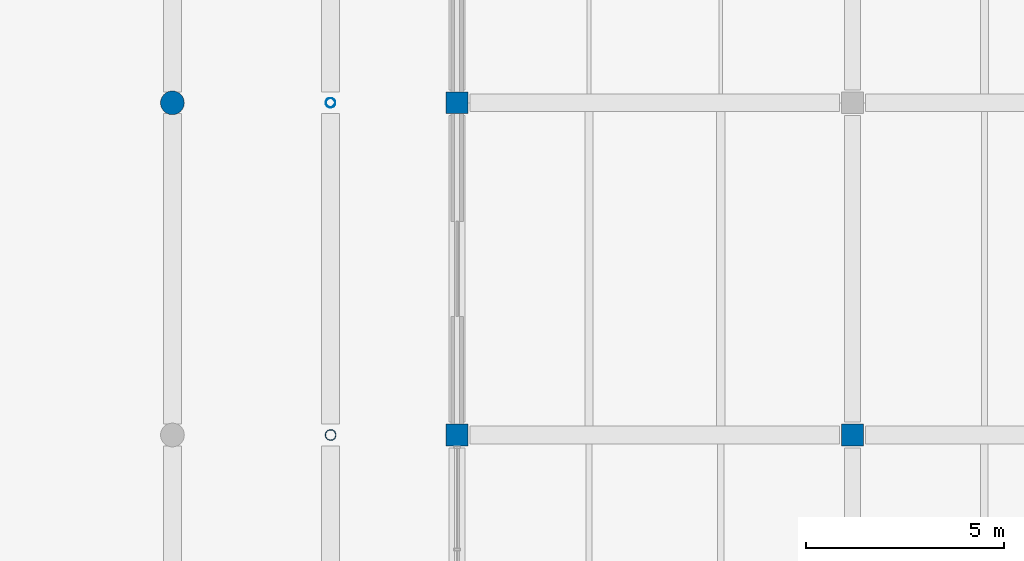
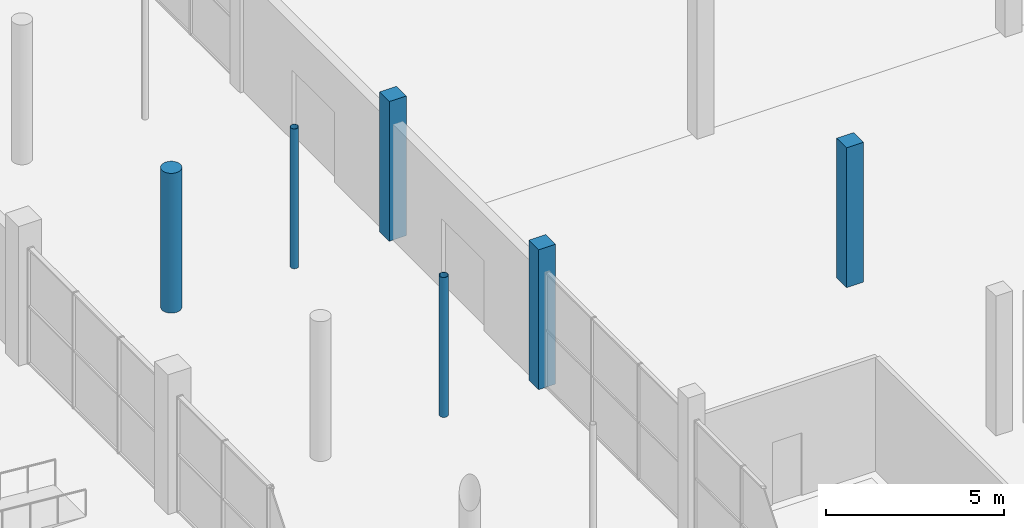
# One storey, part 6 of 130: 6 columns.
"""IFC4 building model written with IfcOpenShell, lengths in metres."""

from ifc_helpers import new_model, si_unit, direction, frame, origin, origin_2d, place, context, subcontext, project, spatial, rectangle, circle, hollow_circle, extrude, material, material_profile, profile_set, type_object, element, save


model = new_model("IFC4")

# Units and contexts
model_context = context("Model", 3, precision=1e-05, world=origin(), true_north=direction((0.0, 1.0)))
body_context = subcontext(model_context, "Body", "Model", "MODEL_VIEW")
ifc_project = project(units=[si_unit("LENGTHUNIT", "METRE"), si_unit("AREAUNIT", "SQUARE_METRE"), si_unit("VOLUMEUNIT", "CUBIC_METRE"), si_unit("PLANEANGLEUNIT", "RADIAN"), si_unit("MASSUNIT", "GRAM", prefix="KILO"), si_unit("THERMODYNAMICTEMPERATUREUNIT", "KELVIN")], contexts=[model_context])

# Site, building, storey
site_placement = place(None, origin())
site = spatial("IfcSite", under=ifc_project, at=site_placement, CompositionType="ELEMENT")
building_placement = place(site_placement, origin())
building = spatial("IfcBuilding", under=site, at=building_placement, Name="Nduvali Passage Aquatics Centre", CompositionType="ELEMENT")
storey_placement = place(building_placement, origin())
storey = spatial("IfcBuildingStorey", under=building, at=storey_placement, Name="L00", CompositionType="ELEMENT", Elevation=0.0)

# Columns
ifc_material_1 = material(Name="Concrete C40/50", Category="concrete")
ifc_material_profile_1 = material_profile(ifc_material_1, rectangle(XDim=0.550048828125, YDim=0.550048828125, at=origin_2d()), Name="RC 550x550")
ifc_profile_set_1 = profile_set([ifc_material_profile_1], Name="Concrete C40/50")
column_type_1 = type_object("IfcColumnType", Name="STR-COL-RC550", PredefinedType="COLUMN", material=ifc_profile_set_1)
column_1_placement = place(storey_placement, frame((148.0, 50.39990234375, 0.0), z_axis=(0.0, 0.0, 1.0), x_axis=(1.0, 0.0, 0.0)))
element("IfcColumn", 1, at=column_1_placement, inside=storey, type_object=column_type_1, Name="L00 Column C4 (148.0, 50.4)", PredefinedType="COLUMN", context=body_context, shape_type="SweptSolid", body=[
    extrude(rectangle(XDim=0.550048828125, YDim=0.550048828125, at=origin_2d()), origin(), (0.0, 0.0, 1.0), 4.800048828125),
])
ifc_material_profile_2 = material_profile(ifc_material_1, rectangle(XDim=0.550048828125, YDim=0.550048828125, at=origin_2d()), Name="RC 550x550")
ifc_profile_set_2 = profile_set([ifc_material_profile_2], Name="Concrete C40/50")
column_type_2 = type_object("IfcColumnType", Name="STR-COL-RC550-EXT", PredefinedType="COLUMN", material=ifc_profile_set_2)
for number, where, z_axis, x_axis, name in (
    (2, (138.0, 50.39990234375, 0.0), (0.0, 0.0, 1.0), (1.0, 0.0, 0.0), "L00 Column C4E (138.0, 50.4)"),
    (3, (138.0, 58.800048828125, 0.0), (0.0, 0.0, 1.0), (1.0, 0.0, 0.0), "L00 Column C4E (138.0, 58.8)"),
):
    element("IfcColumn", number, at=place(storey_placement, frame(where, z_axis=z_axis, x_axis=x_axis)), inside=storey, type_object=column_type_2, Name=name, PredefinedType="COLUMN", context=body_context, shape_type="SweptSolid", body=[
        extrude(rectangle(XDim=0.550048828125, YDim=0.550048828125, at=origin_2d()), origin(), (0.0, 0.0, 1.0), 4.800048828125),
    ])
ifc_material_2 = material(Name="Steel S355", Category="steel")
ifc_material_profile_3 = material_profile(ifc_material_2, hollow_circle(Radius=0.122314453125, WallThickness=0.008056640625, at=origin_2d()), Name="CHS 244.5x8.0")
ifc_profile_set_3 = profile_set([ifc_material_profile_3], Name="Steel S355")
column_type_3 = type_object("IfcColumnType", Name="STR-PIL-CHS244-EXT", PredefinedType="PILASTER", material=ifc_profile_set_3)
column_2_placement = place(storey_placement, frame((134.800048828125, 58.800048828125, 0.0), z_axis=(0.0, 0.0, 1.0), x_axis=(1.0, 0.0, 0.0)))
element("IfcColumn", 4, at=column_2_placement, inside=storey, type_object=column_type_3, Name="L00 Column CP2AE (134.8, 58.8)", PredefinedType="PILASTER", context=body_context, shape_type="SweptSolid", body=[
    extrude(hollow_circle(Radius=0.122314453125, WallThickness=0.008056640625, at=origin_2d()), origin(), (0.0, 0.0, 1.0), 4.800048828125),
])
ifc_material_profile_4 = material_profile(ifc_material_2, hollow_circle(Radius=0.136474609375, WallThickness=0.010009765625, at=origin_2d()), Name="CHS 273.0x10.0")
ifc_profile_set_4 = profile_set([ifc_material_profile_4], Name="Steel S355")
column_type_4 = type_object("IfcColumnType", Name="STR-PIL-CHS273-EXT", PredefinedType="PILASTER", material=ifc_profile_set_4)
column_3_placement = place(storey_placement, frame((134.800048828125, 50.39990234375, 0.0), z_axis=(0.0, 0.0, 1.0), x_axis=(1.0, 0.0, 0.0)))
element("IfcColumn", 5, at=column_3_placement, inside=storey, type_object=column_type_4, Name="L00 Column CP2E (134.8, 50.4)", PredefinedType="PILASTER", context=body_context, shape_type="SweptSolid", body=[
    extrude(hollow_circle(Radius=0.136474609375, WallThickness=0.010009765625, at=origin_2d()), origin(), (0.0, 0.0, 1.0), 4.800048828125),
])
ifc_material_profile_5 = material_profile(ifc_material_1, circle(Radius=0.300048828125, at=origin_2d()), Name="RC D600")
ifc_profile_set_5 = profile_set([ifc_material_profile_5], Name="Concrete C40/50")
column_type_5 = type_object("IfcColumnType", Name="STR-PIL-D600-EXT", PredefinedType="PILASTER", material=ifc_profile_set_5)
column_4_placement = place(storey_placement, frame((130.800048828125, 58.800048828125, 0.0), z_axis=(0.0, 0.0, 1.0), x_axis=(1.0, 0.0, 0.0)))
element("IfcColumn", 6, at=column_4_placement, inside=storey, type_object=column_type_5, Name="L00 Column CP1E (130.8, 58.8)", PredefinedType="PILASTER", context=body_context, shape_type="SweptSolid", body=[
    extrude(circle(Radius=0.300048828125, at=origin_2d()), origin(), (0.0, 0.0, 1.0), 4.800048828125),
])

save(model, "model.ifc")
